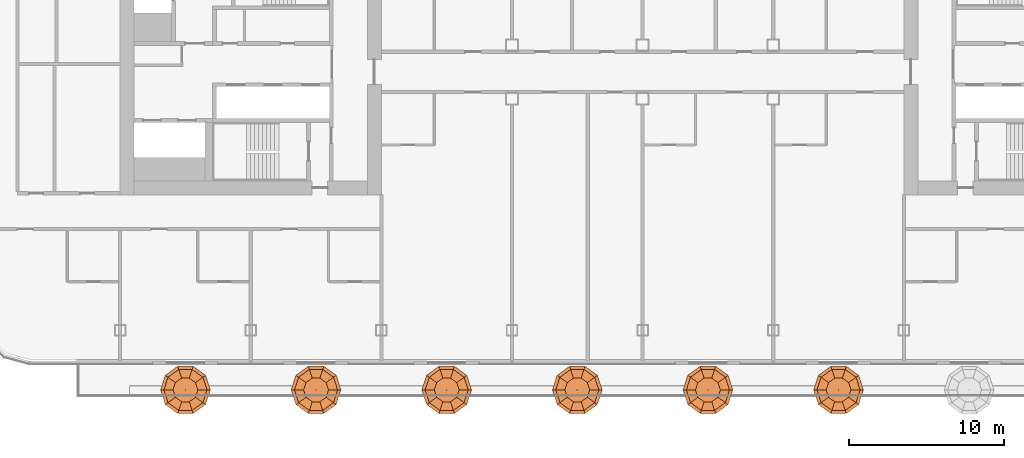
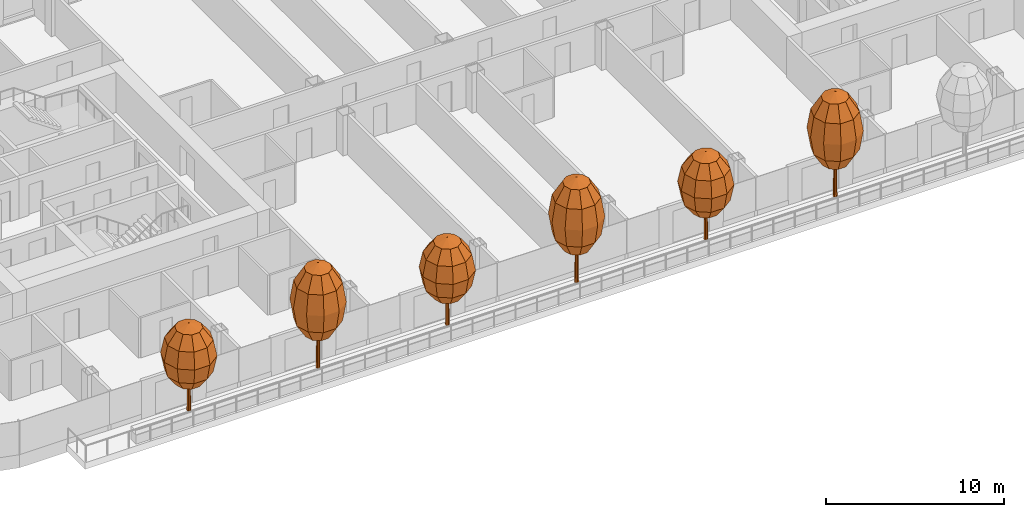
# One storey, part 27 of 29: 6 geographic elements.
"""IFC4 building model written with IfcOpenShell, lengths in metres."""

from ifc_helpers import new_model, si_unit, direction, frame, origin, place, context, subcontext, project, spatial, triangles, material, type_object, element, save


model = new_model("IFC4")

# Units and contexts
model_context = context("Model", 3, precision=1e-05, world=origin(), true_north=direction((0.0, 1.0)))
body_context = subcontext(model_context, "Body", "Model", "MODEL_VIEW")
ifc_project = project(units=[si_unit("LENGTHUNIT", "METRE"), si_unit("AREAUNIT", "SQUARE_METRE"), si_unit("VOLUMEUNIT", "CUBIC_METRE"), si_unit("PLANEANGLEUNIT", "RADIAN"), si_unit("MASSUNIT", "GRAM", prefix="KILO")], contexts=[model_context])

# Site, building, storey
site_placement = place(None, origin())
site = spatial("IfcSite", under=ifc_project, at=site_placement, CompositionType="ELEMENT")
building_placement = place(site_placement, origin())
building = spatial("IfcBuilding", under=site, at=building_placement, Name="Hakoniwa Tower and Hamabe Station Hall", CompositionType="ELEMENT")
storey_placement = place(building_placement, frame((0.0, 0.0, 163.0)))
storey = spatial("IfcBuildingStorey", under=building, at=storey_placement, Name="L46", CompositionType="ELEMENT", Elevation=163.0)

# Geographic elements
ifc_material_1 = material(Name="Tree foliage")
geographic_element_type_1 = type_object("IfcGeographicElementType", Name="Japanese maple 7.2 m", PredefinedType="USERDEFINED", material=ifc_material_1)
geographic_element_1_placement = place(storey_placement, frame((-21.0, -20.949951171875, 0.89990234375)))
element("IfcGeographicElement", 1, at=geographic_element_1_placement, inside=storey, type_object=geographic_element_type_1, Name="Japanese maple 7-2 m", ObjectType="TREE", PredefinedType="USERDEFINED", context=body_context, shape_type="Tessellation", body=[
    triangles([(0.125, 0.0, 0.0), (0.08837890625, 0.08837890625, 0.0), (0.0, 0.125, 0.0), (-0.08837890625, 0.08837890625, 0.0), (-0.125, 0.0, 0.0), (-0.08837890625, -0.08837890625, 0.0), (0.0, -0.125, 0.0), (0.08837890625, -0.08837890625, 0.0), (0.074951171875, 0.0, 4.348876953125), (0.052978515625, 0.052978515625, 4.348876953125), (0.0, 0.074951171875, 4.348876953125), (-0.052978515625, 0.052978515625, 4.348876953125), (-0.074951171875, 0.0, 4.348876953125), (-0.052978515625, -0.052978515625, 4.348876953125), (0.0, -0.074951171875, 4.348876953125), (0.052978515625, -0.052978515625, 4.348876953125), (0.0, 0.0, 0.0), (0.0, 0.0, 4.348876953125)], [[1, 2, 10], [1, 10, 9], [17, 2, 1], [18, 9, 10], [2, 3, 11], [2, 11, 10], [17, 3, 2], [18, 10, 11], [3, 4, 12], [3, 12, 11], [17, 4, 3], [18, 11, 12], [4, 5, 13], [4, 13, 12], [17, 5, 4], [18, 12, 13], [5, 6, 14], [5, 14, 13], [17, 6, 5], [18, 13, 14], [6, 7, 15], [6, 15, 14], [17, 7, 6], [18, 14, 15], [7, 8, 16], [7, 16, 15], [17, 8, 7], [18, 15, 16], [8, 1, 9], [8, 9, 16], [17, 1, 8], [18, 16, 9]], closed=True),
    triangles([(0.0, 0.0, 2.015869140625), (0.800048828125, 0.0, 2.36328125), (0.647216796875, 0.47021484375, 2.36328125), (0.247314453125, 0.7607421875, 2.36328125), (-0.247314453125, 0.7607421875, 2.36328125), (-0.647216796875, 0.47021484375, 2.36328125), (-0.800048828125, 0.0, 2.36328125), (-0.647216796875, -0.47021484375, 2.36328125), (-0.247314453125, -0.7607421875, 2.36328125), (0.247314453125, -0.7607421875, 2.36328125), (0.647216796875, -0.47021484375, 2.36328125), (1.385498046875, 0.0, 3.31201171875), (1.12109375, 0.814453125, 3.31201171875), (0.42822265625, 1.31787109375, 3.31201171875), (-0.42822265625, 1.31787109375, 3.31201171875), (-1.12109375, 0.814453125, 3.31201171875), (-1.385498046875, 0.0, 3.31201171875), (-1.12109375, -0.814453125, 3.31201171875), (-0.42822265625, -1.31787109375, 3.31201171875), (0.42822265625, -1.31787109375, 3.31201171875), (1.12109375, -0.814453125, 3.31201171875), (1.60009765625, 0.0, 4.60791015625), (1.29443359375, 0.9404296875, 4.60791015625), (0.494384765625, 1.521728515625, 4.60791015625), (-0.494384765625, 1.521728515625, 4.60791015625), (-1.29443359375, 0.9404296875, 4.60791015625), (-1.60009765625, 0.0, 4.60791015625), (-1.29443359375, -0.9404296875, 4.60791015625), (-0.494384765625, -1.521728515625, 4.60791015625), (0.494384765625, -1.521728515625, 4.60791015625), (1.29443359375, -0.9404296875, 4.60791015625), (1.385498046875, 0.0, 5.904052734375), (1.12109375, 0.814453125, 5.904052734375), (0.42822265625, 1.31787109375, 5.904052734375), (-0.42822265625, 1.31787109375, 5.904052734375), (-1.12109375, 0.814453125, 5.904052734375), (-1.385498046875, 0.0, 5.904052734375), (-1.12109375, -0.814453125, 5.904052734375), (-0.42822265625, -1.31787109375, 5.904052734375), (0.42822265625, -1.31787109375, 5.904052734375), (1.12109375, -0.814453125, 5.904052734375), (0.800048828125, 0.0, 6.852783203125), (0.647216796875, 0.47021484375, 6.852783203125), (0.247314453125, 0.7607421875, 6.852783203125), (-0.247314453125, 0.7607421875, 6.852783203125), (-0.647216796875, 0.47021484375, 6.852783203125), (-0.800048828125, 0.0, 6.852783203125), (-0.647216796875, -0.47021484375, 6.852783203125), (-0.247314453125, -0.7607421875, 6.852783203125), (0.247314453125, -0.7607421875, 6.852783203125), (0.647216796875, -0.47021484375, 6.852783203125), (0.0, 0.0, 7.199951171875)], [[1, 3, 2], [1, 4, 3], [1, 5, 4], [1, 6, 5], [1, 7, 6], [1, 8, 7], [1, 9, 8], [1, 10, 9], [1, 11, 10], [1, 2, 11], [2, 3, 13], [2, 13, 12], [3, 4, 14], [3, 14, 13], [4, 5, 15], [4, 15, 14], [5, 6, 16], [5, 16, 15], [6, 7, 17], [6, 17, 16], [7, 8, 18], [7, 18, 17], [8, 9, 19], [8, 19, 18], [9, 10, 20], [9, 20, 19], [10, 11, 21], [10, 21, 20], [11, 2, 12], [11, 12, 21], [12, 13, 23], [12, 23, 22], [13, 14, 24], [13, 24, 23], [14, 15, 25], [14, 25, 24], [15, 16, 26], [15, 26, 25], [16, 17, 27], [16, 27, 26], [17, 18, 28], [17, 28, 27], [18, 19, 29], [18, 29, 28], [19, 20, 30], [19, 30, 29], [20, 21, 31], [20, 31, 30], [21, 12, 22], [21, 22, 31], [22, 23, 33], [22, 33, 32], [23, 24, 34], [23, 34, 33], [24, 25, 35], [24, 35, 34], [25, 26, 36], [25, 36, 35], [26, 27, 37], [26, 37, 36], [27, 28, 38], [27, 38, 37], [28, 29, 39], [28, 39, 38], [29, 30, 40], [29, 40, 39], [30, 31, 41], [30, 41, 40], [31, 22, 32], [31, 32, 41], [32, 33, 43], [32, 43, 42], [33, 34, 44], [33, 44, 43], [34, 35, 45], [34, 45, 44], [35, 36, 46], [35, 46, 45], [36, 37, 47], [36, 47, 46], [37, 38, 48], [37, 48, 47], [38, 39, 49], [38, 49, 48], [39, 40, 50], [39, 50, 49], [40, 41, 51], [40, 51, 50], [41, 32, 42], [41, 42, 51], [52, 42, 43], [52, 43, 44], [52, 44, 45], [52, 45, 46], [52, 46, 47], [52, 47, 48], [52, 48, 49], [52, 49, 50], [52, 50, 51], [52, 51, 42]], closed=True),
])
geographic_element_2_placement = place(storey_placement, frame((-4.199951171875, -20.949951171875, 0.89990234375)))
element("IfcGeographicElement", 2, at=geographic_element_2_placement, inside=storey, type_object=geographic_element_type_1, Name="Japanese maple 7-2 m", ObjectType="TREE", PredefinedType="USERDEFINED", context=body_context, shape_type="Tessellation", body=[
    triangles([(0.125, 0.0, 0.0), (0.08837890625, 0.08837890625, 0.0), (0.0, 0.125, 0.0), (-0.08837890625, 0.08837890625, 0.0), (-0.125, 0.0, 0.0), (-0.08837890625, -0.08837890625, 0.0), (0.0, -0.125, 0.0), (0.08837890625, -0.08837890625, 0.0), (0.074951171875, 0.0, 4.348876953125), (0.052978515625, 0.052978515625, 4.348876953125), (0.0, 0.074951171875, 4.348876953125), (-0.052978515625, 0.052978515625, 4.348876953125), (-0.074951171875, 0.0, 4.348876953125), (-0.052978515625, -0.052978515625, 4.348876953125), (0.0, -0.074951171875, 4.348876953125), (0.052978515625, -0.052978515625, 4.348876953125), (0.0, 0.0, 0.0), (0.0, 0.0, 4.348876953125)], [[1, 2, 10], [1, 10, 9], [17, 2, 1], [18, 9, 10], [2, 3, 11], [2, 11, 10], [17, 3, 2], [18, 10, 11], [3, 4, 12], [3, 12, 11], [17, 4, 3], [18, 11, 12], [4, 5, 13], [4, 13, 12], [17, 5, 4], [18, 12, 13], [5, 6, 14], [5, 14, 13], [17, 6, 5], [18, 13, 14], [6, 7, 15], [6, 15, 14], [17, 7, 6], [18, 14, 15], [7, 8, 16], [7, 16, 15], [17, 8, 7], [18, 15, 16], [8, 1, 9], [8, 9, 16], [17, 1, 8], [18, 16, 9]], closed=True),
    triangles([(0.0, 0.0, 2.015869140625), (0.800048828125, 0.0, 2.36328125), (0.647216796875, 0.47021484375, 2.36328125), (0.247314453125, 0.7607421875, 2.36328125), (-0.247314453125, 0.7607421875, 2.36328125), (-0.647216796875, 0.47021484375, 2.36328125), (-0.800048828125, 0.0, 2.36328125), (-0.647216796875, -0.47021484375, 2.36328125), (-0.247314453125, -0.7607421875, 2.36328125), (0.247314453125, -0.7607421875, 2.36328125), (0.647216796875, -0.47021484375, 2.36328125), (1.385498046875, 0.0, 3.31201171875), (1.12109375, 0.814453125, 3.31201171875), (0.42822265625, 1.31787109375, 3.31201171875), (-0.42822265625, 1.31787109375, 3.31201171875), (-1.12109375, 0.814453125, 3.31201171875), (-1.385498046875, 0.0, 3.31201171875), (-1.12109375, -0.814453125, 3.31201171875), (-0.42822265625, -1.31787109375, 3.31201171875), (0.42822265625, -1.31787109375, 3.31201171875), (1.12109375, -0.814453125, 3.31201171875), (1.60009765625, 0.0, 4.60791015625), (1.29443359375, 0.9404296875, 4.60791015625), (0.494384765625, 1.521728515625, 4.60791015625), (-0.494384765625, 1.521728515625, 4.60791015625), (-1.29443359375, 0.9404296875, 4.60791015625), (-1.60009765625, 0.0, 4.60791015625), (-1.29443359375, -0.9404296875, 4.60791015625), (-0.494384765625, -1.521728515625, 4.60791015625), (0.494384765625, -1.521728515625, 4.60791015625), (1.29443359375, -0.9404296875, 4.60791015625), (1.385498046875, 0.0, 5.904052734375), (1.12109375, 0.814453125, 5.904052734375), (0.42822265625, 1.31787109375, 5.904052734375), (-0.42822265625, 1.31787109375, 5.904052734375), (-1.12109375, 0.814453125, 5.904052734375), (-1.385498046875, 0.0, 5.904052734375), (-1.12109375, -0.814453125, 5.904052734375), (-0.42822265625, -1.31787109375, 5.904052734375), (0.42822265625, -1.31787109375, 5.904052734375), (1.12109375, -0.814453125, 5.904052734375), (0.800048828125, 0.0, 6.852783203125), (0.647216796875, 0.47021484375, 6.852783203125), (0.247314453125, 0.7607421875, 6.852783203125), (-0.247314453125, 0.7607421875, 6.852783203125), (-0.647216796875, 0.47021484375, 6.852783203125), (-0.800048828125, 0.0, 6.852783203125), (-0.647216796875, -0.47021484375, 6.852783203125), (-0.247314453125, -0.7607421875, 6.852783203125), (0.247314453125, -0.7607421875, 6.852783203125), (0.647216796875, -0.47021484375, 6.852783203125), (0.0, 0.0, 7.199951171875)], [[1, 3, 2], [1, 4, 3], [1, 5, 4], [1, 6, 5], [1, 7, 6], [1, 8, 7], [1, 9, 8], [1, 10, 9], [1, 11, 10], [1, 2, 11], [2, 3, 13], [2, 13, 12], [3, 4, 14], [3, 14, 13], [4, 5, 15], [4, 15, 14], [5, 6, 16], [5, 16, 15], [6, 7, 17], [6, 17, 16], [7, 8, 18], [7, 18, 17], [8, 9, 19], [8, 19, 18], [9, 10, 20], [9, 20, 19], [10, 11, 21], [10, 21, 20], [11, 2, 12], [11, 12, 21], [12, 13, 23], [12, 23, 22], [13, 14, 24], [13, 24, 23], [14, 15, 25], [14, 25, 24], [15, 16, 26], [15, 26, 25], [16, 17, 27], [16, 27, 26], [17, 18, 28], [17, 28, 27], [18, 19, 29], [18, 29, 28], [19, 20, 30], [19, 30, 29], [20, 21, 31], [20, 31, 30], [21, 12, 22], [21, 22, 31], [22, 23, 33], [22, 33, 32], [23, 24, 34], [23, 34, 33], [24, 25, 35], [24, 35, 34], [25, 26, 36], [25, 36, 35], [26, 27, 37], [26, 37, 36], [27, 28, 38], [27, 38, 37], [28, 29, 39], [28, 39, 38], [29, 30, 40], [29, 40, 39], [30, 31, 41], [30, 41, 40], [31, 22, 32], [31, 32, 41], [32, 33, 43], [32, 43, 42], [33, 34, 44], [33, 44, 43], [34, 35, 45], [34, 45, 44], [35, 36, 46], [35, 46, 45], [36, 37, 47], [36, 47, 46], [37, 38, 48], [37, 48, 47], [38, 39, 49], [38, 49, 48], [39, 40, 50], [39, 50, 49], [40, 41, 51], [40, 51, 50], [41, 32, 42], [41, 42, 51], [52, 42, 43], [52, 43, 44], [52, 44, 45], [52, 45, 46], [52, 46, 47], [52, 47, 48], [52, 48, 49], [52, 49, 50], [52, 50, 51], [52, 51, 42]], closed=True),
])
geographic_element_3_placement = place(storey_placement, frame((12.60009765625, -20.949951171875, 0.89990234375)))
element("IfcGeographicElement", 3, at=geographic_element_3_placement, inside=storey, type_object=geographic_element_type_1, Name="Japanese maple 7-2 m", ObjectType="TREE", PredefinedType="USERDEFINED", context=body_context, shape_type="Tessellation", body=[
    triangles([(0.125, 0.0, 0.0), (0.08837890625, 0.08837890625, 0.0), (0.0, 0.125, 0.0), (-0.08837890625, 0.08837890625, 0.0), (-0.125, 0.0, 0.0), (-0.08837890625, -0.08837890625, 0.0), (0.0, -0.125, 0.0), (0.08837890625, -0.08837890625, 0.0), (0.074951171875, 0.0, 4.348876953125), (0.052978515625, 0.052978515625, 4.348876953125), (0.0, 0.074951171875, 4.348876953125), (-0.052978515625, 0.052978515625, 4.348876953125), (-0.074951171875, 0.0, 4.348876953125), (-0.052978515625, -0.052978515625, 4.348876953125), (0.0, -0.074951171875, 4.348876953125), (0.052978515625, -0.052978515625, 4.348876953125), (0.0, 0.0, 0.0), (0.0, 0.0, 4.348876953125)], [[1, 2, 10], [1, 10, 9], [17, 2, 1], [18, 9, 10], [2, 3, 11], [2, 11, 10], [17, 3, 2], [18, 10, 11], [3, 4, 12], [3, 12, 11], [17, 4, 3], [18, 11, 12], [4, 5, 13], [4, 13, 12], [17, 5, 4], [18, 12, 13], [5, 6, 14], [5, 14, 13], [17, 6, 5], [18, 13, 14], [6, 7, 15], [6, 15, 14], [17, 7, 6], [18, 14, 15], [7, 8, 16], [7, 16, 15], [17, 8, 7], [18, 15, 16], [8, 1, 9], [8, 9, 16], [17, 1, 8], [18, 16, 9]], closed=True),
    triangles([(0.0, 0.0, 2.015869140625), (0.800048828125, 0.0, 2.36328125), (0.647216796875, 0.47021484375, 2.36328125), (0.247314453125, 0.7607421875, 2.36328125), (-0.247314453125, 0.7607421875, 2.36328125), (-0.647216796875, 0.47021484375, 2.36328125), (-0.800048828125, 0.0, 2.36328125), (-0.647216796875, -0.47021484375, 2.36328125), (-0.247314453125, -0.7607421875, 2.36328125), (0.247314453125, -0.7607421875, 2.36328125), (0.647216796875, -0.47021484375, 2.36328125), (1.385498046875, 0.0, 3.31201171875), (1.12109375, 0.814453125, 3.31201171875), (0.42822265625, 1.31787109375, 3.31201171875), (-0.42822265625, 1.31787109375, 3.31201171875), (-1.12109375, 0.814453125, 3.31201171875), (-1.385498046875, 0.0, 3.31201171875), (-1.12109375, -0.814453125, 3.31201171875), (-0.42822265625, -1.31787109375, 3.31201171875), (0.42822265625, -1.31787109375, 3.31201171875), (1.12109375, -0.814453125, 3.31201171875), (1.60009765625, 0.0, 4.60791015625), (1.29443359375, 0.9404296875, 4.60791015625), (0.494384765625, 1.521728515625, 4.60791015625), (-0.494384765625, 1.521728515625, 4.60791015625), (-1.29443359375, 0.9404296875, 4.60791015625), (-1.60009765625, 0.0, 4.60791015625), (-1.29443359375, -0.9404296875, 4.60791015625), (-0.494384765625, -1.521728515625, 4.60791015625), (0.494384765625, -1.521728515625, 4.60791015625), (1.29443359375, -0.9404296875, 4.60791015625), (1.385498046875, 0.0, 5.904052734375), (1.12109375, 0.814453125, 5.904052734375), (0.42822265625, 1.31787109375, 5.904052734375), (-0.42822265625, 1.31787109375, 5.904052734375), (-1.12109375, 0.814453125, 5.904052734375), (-1.385498046875, 0.0, 5.904052734375), (-1.12109375, -0.814453125, 5.904052734375), (-0.42822265625, -1.31787109375, 5.904052734375), (0.42822265625, -1.31787109375, 5.904052734375), (1.12109375, -0.814453125, 5.904052734375), (0.800048828125, 0.0, 6.852783203125), (0.647216796875, 0.47021484375, 6.852783203125), (0.247314453125, 0.7607421875, 6.852783203125), (-0.247314453125, 0.7607421875, 6.852783203125), (-0.647216796875, 0.47021484375, 6.852783203125), (-0.800048828125, 0.0, 6.852783203125), (-0.647216796875, -0.47021484375, 6.852783203125), (-0.247314453125, -0.7607421875, 6.852783203125), (0.247314453125, -0.7607421875, 6.852783203125), (0.647216796875, -0.47021484375, 6.852783203125), (0.0, 0.0, 7.199951171875)], [[1, 3, 2], [1, 4, 3], [1, 5, 4], [1, 6, 5], [1, 7, 6], [1, 8, 7], [1, 9, 8], [1, 10, 9], [1, 11, 10], [1, 2, 11], [2, 3, 13], [2, 13, 12], [3, 4, 14], [3, 14, 13], [4, 5, 15], [4, 15, 14], [5, 6, 16], [5, 16, 15], [6, 7, 17], [6, 17, 16], [7, 8, 18], [7, 18, 17], [8, 9, 19], [8, 19, 18], [9, 10, 20], [9, 20, 19], [10, 11, 21], [10, 21, 20], [11, 2, 12], [11, 12, 21], [12, 13, 23], [12, 23, 22], [13, 14, 24], [13, 24, 23], [14, 15, 25], [14, 25, 24], [15, 16, 26], [15, 26, 25], [16, 17, 27], [16, 27, 26], [17, 18, 28], [17, 28, 27], [18, 19, 29], [18, 29, 28], [19, 20, 30], [19, 30, 29], [20, 21, 31], [20, 31, 30], [21, 12, 22], [21, 22, 31], [22, 23, 33], [22, 33, 32], [23, 24, 34], [23, 34, 33], [24, 25, 35], [24, 35, 34], [25, 26, 36], [25, 36, 35], [26, 27, 37], [26, 37, 36], [27, 28, 38], [27, 38, 37], [28, 29, 39], [28, 39, 38], [29, 30, 40], [29, 40, 39], [30, 31, 41], [30, 41, 40], [31, 22, 32], [31, 32, 41], [32, 33, 43], [32, 43, 42], [33, 34, 44], [33, 44, 43], [34, 35, 45], [34, 45, 44], [35, 36, 46], [35, 46, 45], [36, 37, 47], [36, 47, 46], [37, 38, 48], [37, 48, 47], [38, 39, 49], [38, 49, 48], [39, 40, 50], [39, 50, 49], [40, 41, 51], [40, 51, 50], [41, 32, 42], [41, 42, 51], [52, 42, 43], [52, 43, 44], [52, 44, 45], [52, 45, 46], [52, 46, 47], [52, 47, 48], [52, 48, 49], [52, 49, 50], [52, 50, 51], [52, 51, 42]], closed=True),
])
ifc_material_2 = material(Name="Tree foliage")
geographic_element_type_2 = type_object("IfcGeographicElementType", Name="Osmanthus 6.0 m", PredefinedType="USERDEFINED", material=ifc_material_2)
geographic_element_4_placement = place(storey_placement, frame((-29.39990234375, -20.949951171875, 0.89990234375)))
element("IfcGeographicElement", 4, at=geographic_element_4_placement, inside=storey, type_object=geographic_element_type_2, Name="Osmanthus 6-0 m", ObjectType="TREE", PredefinedType="USERDEFINED", context=body_context, shape_type="Tessellation", body=[
    triangles([(0.125, 0.0, 0.0), (0.08837890625, 0.08837890625, 0.0), (0.0, 0.125, 0.0), (-0.08837890625, 0.08837890625, 0.0), (-0.125, 0.0, 0.0), (-0.08837890625, -0.08837890625, 0.0), (0.0, -0.125, 0.0), (0.08837890625, -0.08837890625, 0.0), (0.074951171875, 0.0, 3.6240234375), (0.052978515625, 0.052978515625, 3.6240234375), (0.0, 0.074951171875, 3.6240234375), (-0.052978515625, 0.052978515625, 3.6240234375), (-0.074951171875, 0.0, 3.6240234375), (-0.052978515625, -0.052978515625, 3.6240234375), (0.0, -0.074951171875, 3.6240234375), (0.052978515625, -0.052978515625, 3.6240234375), (0.0, 0.0, 0.0), (0.0, 0.0, 3.6240234375)], [[1, 2, 10], [1, 10, 9], [17, 2, 1], [18, 9, 10], [2, 3, 11], [2, 11, 10], [17, 3, 2], [18, 10, 11], [3, 4, 12], [3, 12, 11], [17, 4, 3], [18, 11, 12], [4, 5, 13], [4, 13, 12], [17, 5, 4], [18, 12, 13], [5, 6, 14], [5, 14, 13], [17, 6, 5], [18, 13, 14], [6, 7, 15], [6, 15, 14], [17, 7, 6], [18, 14, 15], [7, 8, 16], [7, 16, 15], [17, 8, 7], [18, 15, 16], [8, 1, 9], [8, 9, 16], [17, 1, 8], [18, 16, 9]], closed=True),
    triangles([(0.0, 0.0, 1.679931640625), (0.800048828125, 0.0, 1.969482421875), (0.647216796875, 0.47021484375, 1.969482421875), (0.247314453125, 0.7607421875, 1.969482421875), (-0.247314453125, 0.7607421875, 1.969482421875), (-0.647216796875, 0.47021484375, 1.969482421875), (-0.800048828125, 0.0, 1.969482421875), (-0.647216796875, -0.47021484375, 1.969482421875), (-0.247314453125, -0.7607421875, 1.969482421875), (0.247314453125, -0.7607421875, 1.969482421875), (0.647216796875, -0.47021484375, 1.969482421875), (1.385498046875, 0.0, 2.760009765625), (1.12109375, 0.814453125, 2.760009765625), (0.42822265625, 1.31787109375, 2.760009765625), (-0.42822265625, 1.31787109375, 2.760009765625), (-1.12109375, 0.814453125, 2.760009765625), (-1.385498046875, 0.0, 2.760009765625), (-1.12109375, -0.814453125, 2.760009765625), (-0.42822265625, -1.31787109375, 2.760009765625), (0.42822265625, -1.31787109375, 2.760009765625), (1.12109375, -0.814453125, 2.760009765625), (1.60009765625, 0.0, 3.840087890625), (1.29443359375, 0.9404296875, 3.840087890625), (0.494384765625, 1.521728515625, 3.840087890625), (-0.494384765625, 1.521728515625, 3.840087890625), (-1.29443359375, 0.9404296875, 3.840087890625), (-1.60009765625, 0.0, 3.840087890625), (-1.29443359375, -0.9404296875, 3.840087890625), (-0.494384765625, -1.521728515625, 3.840087890625), (0.494384765625, -1.521728515625, 3.840087890625), (1.29443359375, -0.9404296875, 3.840087890625), (1.385498046875, 0.0, 4.919921875), (1.12109375, 0.814453125, 4.919921875), (0.42822265625, 1.31787109375, 4.919921875), (-0.42822265625, 1.31787109375, 4.919921875), (-1.12109375, 0.814453125, 4.919921875), (-1.385498046875, 0.0, 4.919921875), (-1.12109375, -0.814453125, 4.919921875), (-0.42822265625, -1.31787109375, 4.919921875), (0.42822265625, -1.31787109375, 4.919921875), (1.12109375, -0.814453125, 4.919921875), (0.800048828125, 0.0, 5.710693359375), (0.647216796875, 0.47021484375, 5.710693359375), (0.247314453125, 0.7607421875, 5.710693359375), (-0.247314453125, 0.7607421875, 5.710693359375), (-0.647216796875, 0.47021484375, 5.710693359375), (-0.800048828125, 0.0, 5.710693359375), (-0.647216796875, -0.47021484375, 5.710693359375), (-0.247314453125, -0.7607421875, 5.710693359375), (0.247314453125, -0.7607421875, 5.710693359375), (0.647216796875, -0.47021484375, 5.710693359375), (0.0, 0.0, 6.0)], [[1, 3, 2], [1, 4, 3], [1, 5, 4], [1, 6, 5], [1, 7, 6], [1, 8, 7], [1, 9, 8], [1, 10, 9], [1, 11, 10], [1, 2, 11], [2, 3, 13], [2, 13, 12], [3, 4, 14], [3, 14, 13], [4, 5, 15], [4, 15, 14], [5, 6, 16], [5, 16, 15], [6, 7, 17], [6, 17, 16], [7, 8, 18], [7, 18, 17], [8, 9, 19], [8, 19, 18], [9, 10, 20], [9, 20, 19], [10, 11, 21], [10, 21, 20], [11, 2, 12], [11, 12, 21], [12, 13, 23], [12, 23, 22], [13, 14, 24], [13, 24, 23], [14, 15, 25], [14, 25, 24], [15, 16, 26], [15, 26, 25], [16, 17, 27], [16, 27, 26], [17, 18, 28], [17, 28, 27], [18, 19, 29], [18, 29, 28], [19, 20, 30], [19, 30, 29], [20, 21, 31], [20, 31, 30], [21, 12, 22], [21, 22, 31], [22, 23, 33], [22, 33, 32], [23, 24, 34], [23, 34, 33], [24, 25, 35], [24, 35, 34], [25, 26, 36], [25, 36, 35], [26, 27, 37], [26, 37, 36], [27, 28, 38], [27, 38, 37], [28, 29, 39], [28, 39, 38], [29, 30, 40], [29, 40, 39], [30, 31, 41], [30, 41, 40], [31, 22, 32], [31, 32, 41], [32, 33, 43], [32, 43, 42], [33, 34, 44], [33, 44, 43], [34, 35, 45], [34, 45, 44], [35, 36, 46], [35, 46, 45], [36, 37, 47], [36, 47, 46], [37, 38, 48], [37, 48, 47], [38, 39, 49], [38, 49, 48], [39, 40, 50], [39, 50, 49], [40, 41, 51], [40, 51, 50], [41, 32, 42], [41, 42, 51], [52, 42, 43], [52, 43, 44], [52, 44, 45], [52, 45, 46], [52, 46, 47], [52, 47, 48], [52, 48, 49], [52, 49, 50], [52, 50, 51], [52, 51, 42]], closed=True),
])
geographic_element_5_placement = place(storey_placement, frame((-12.60009765625, -20.949951171875, 0.89990234375)))
element("IfcGeographicElement", 5, at=geographic_element_5_placement, inside=storey, type_object=geographic_element_type_2, Name="Osmanthus 6-0 m", ObjectType="TREE", PredefinedType="USERDEFINED", context=body_context, shape_type="Tessellation", body=[
    triangles([(0.125, 0.0, 0.0), (0.08837890625, 0.08837890625, 0.0), (0.0, 0.125, 0.0), (-0.08837890625, 0.08837890625, 0.0), (-0.125, 0.0, 0.0), (-0.08837890625, -0.08837890625, 0.0), (0.0, -0.125, 0.0), (0.08837890625, -0.08837890625, 0.0), (0.074951171875, 0.0, 3.6240234375), (0.052978515625, 0.052978515625, 3.6240234375), (0.0, 0.074951171875, 3.6240234375), (-0.052978515625, 0.052978515625, 3.6240234375), (-0.074951171875, 0.0, 3.6240234375), (-0.052978515625, -0.052978515625, 3.6240234375), (0.0, -0.074951171875, 3.6240234375), (0.052978515625, -0.052978515625, 3.6240234375), (0.0, 0.0, 0.0), (0.0, 0.0, 3.6240234375)], [[1, 2, 10], [1, 10, 9], [17, 2, 1], [18, 9, 10], [2, 3, 11], [2, 11, 10], [17, 3, 2], [18, 10, 11], [3, 4, 12], [3, 12, 11], [17, 4, 3], [18, 11, 12], [4, 5, 13], [4, 13, 12], [17, 5, 4], [18, 12, 13], [5, 6, 14], [5, 14, 13], [17, 6, 5], [18, 13, 14], [6, 7, 15], [6, 15, 14], [17, 7, 6], [18, 14, 15], [7, 8, 16], [7, 16, 15], [17, 8, 7], [18, 15, 16], [8, 1, 9], [8, 9, 16], [17, 1, 8], [18, 16, 9]], closed=True),
    triangles([(0.0, 0.0, 1.679931640625), (0.800048828125, 0.0, 1.969482421875), (0.647216796875, 0.47021484375, 1.969482421875), (0.247314453125, 0.7607421875, 1.969482421875), (-0.247314453125, 0.7607421875, 1.969482421875), (-0.647216796875, 0.47021484375, 1.969482421875), (-0.800048828125, 0.0, 1.969482421875), (-0.647216796875, -0.47021484375, 1.969482421875), (-0.247314453125, -0.7607421875, 1.969482421875), (0.247314453125, -0.7607421875, 1.969482421875), (0.647216796875, -0.47021484375, 1.969482421875), (1.385498046875, 0.0, 2.760009765625), (1.12109375, 0.814453125, 2.760009765625), (0.42822265625, 1.31787109375, 2.760009765625), (-0.42822265625, 1.31787109375, 2.760009765625), (-1.12109375, 0.814453125, 2.760009765625), (-1.385498046875, 0.0, 2.760009765625), (-1.12109375, -0.814453125, 2.760009765625), (-0.42822265625, -1.31787109375, 2.760009765625), (0.42822265625, -1.31787109375, 2.760009765625), (1.12109375, -0.814453125, 2.760009765625), (1.60009765625, 0.0, 3.840087890625), (1.29443359375, 0.9404296875, 3.840087890625), (0.494384765625, 1.521728515625, 3.840087890625), (-0.494384765625, 1.521728515625, 3.840087890625), (-1.29443359375, 0.9404296875, 3.840087890625), (-1.60009765625, 0.0, 3.840087890625), (-1.29443359375, -0.9404296875, 3.840087890625), (-0.494384765625, -1.521728515625, 3.840087890625), (0.494384765625, -1.521728515625, 3.840087890625), (1.29443359375, -0.9404296875, 3.840087890625), (1.385498046875, 0.0, 4.919921875), (1.12109375, 0.814453125, 4.919921875), (0.42822265625, 1.31787109375, 4.919921875), (-0.42822265625, 1.31787109375, 4.919921875), (-1.12109375, 0.814453125, 4.919921875), (-1.385498046875, 0.0, 4.919921875), (-1.12109375, -0.814453125, 4.919921875), (-0.42822265625, -1.31787109375, 4.919921875), (0.42822265625, -1.31787109375, 4.919921875), (1.12109375, -0.814453125, 4.919921875), (0.800048828125, 0.0, 5.710693359375), (0.647216796875, 0.47021484375, 5.710693359375), (0.247314453125, 0.7607421875, 5.710693359375), (-0.247314453125, 0.7607421875, 5.710693359375), (-0.647216796875, 0.47021484375, 5.710693359375), (-0.800048828125, 0.0, 5.710693359375), (-0.647216796875, -0.47021484375, 5.710693359375), (-0.247314453125, -0.7607421875, 5.710693359375), (0.247314453125, -0.7607421875, 5.710693359375), (0.647216796875, -0.47021484375, 5.710693359375), (0.0, 0.0, 6.0)], [[1, 3, 2], [1, 4, 3], [1, 5, 4], [1, 6, 5], [1, 7, 6], [1, 8, 7], [1, 9, 8], [1, 10, 9], [1, 11, 10], [1, 2, 11], [2, 3, 13], [2, 13, 12], [3, 4, 14], [3, 14, 13], [4, 5, 15], [4, 15, 14], [5, 6, 16], [5, 16, 15], [6, 7, 17], [6, 17, 16], [7, 8, 18], [7, 18, 17], [8, 9, 19], [8, 19, 18], [9, 10, 20], [9, 20, 19], [10, 11, 21], [10, 21, 20], [11, 2, 12], [11, 12, 21], [12, 13, 23], [12, 23, 22], [13, 14, 24], [13, 24, 23], [14, 15, 25], [14, 25, 24], [15, 16, 26], [15, 26, 25], [16, 17, 27], [16, 27, 26], [17, 18, 28], [17, 28, 27], [18, 19, 29], [18, 29, 28], [19, 20, 30], [19, 30, 29], [20, 21, 31], [20, 31, 30], [21, 12, 22], [21, 22, 31], [22, 23, 33], [22, 33, 32], [23, 24, 34], [23, 34, 33], [24, 25, 35], [24, 35, 34], [25, 26, 36], [25, 36, 35], [26, 27, 37], [26, 37, 36], [27, 28, 38], [27, 38, 37], [28, 29, 39], [28, 39, 38], [29, 30, 40], [29, 40, 39], [30, 31, 41], [30, 41, 40], [31, 22, 32], [31, 32, 41], [32, 33, 43], [32, 43, 42], [33, 34, 44], [33, 44, 43], [34, 35, 45], [34, 45, 44], [35, 36, 46], [35, 46, 45], [36, 37, 47], [36, 47, 46], [37, 38, 48], [37, 48, 47], [38, 39, 49], [38, 49, 48], [39, 40, 50], [39, 50, 49], [40, 41, 51], [40, 51, 50], [41, 32, 42], [41, 42, 51], [52, 42, 43], [52, 43, 44], [52, 44, 45], [52, 45, 46], [52, 46, 47], [52, 47, 48], [52, 48, 49], [52, 49, 50], [52, 50, 51], [52, 51, 42]], closed=True),
])
geographic_element_6_placement = place(storey_placement, frame((4.199951171875, -20.949951171875, 0.89990234375)))
element("IfcGeographicElement", 6, at=geographic_element_6_placement, inside=storey, type_object=geographic_element_type_2, Name="Osmanthus 6-0 m", ObjectType="TREE", PredefinedType="USERDEFINED", context=body_context, shape_type="Tessellation", body=[
    triangles([(0.125, 0.0, 0.0), (0.08837890625, 0.08837890625, 0.0), (0.0, 0.125, 0.0), (-0.08837890625, 0.08837890625, 0.0), (-0.125, 0.0, 0.0), (-0.08837890625, -0.08837890625, 0.0), (0.0, -0.125, 0.0), (0.08837890625, -0.08837890625, 0.0), (0.074951171875, 0.0, 3.6240234375), (0.052978515625, 0.052978515625, 3.6240234375), (0.0, 0.074951171875, 3.6240234375), (-0.052978515625, 0.052978515625, 3.6240234375), (-0.074951171875, 0.0, 3.6240234375), (-0.052978515625, -0.052978515625, 3.6240234375), (0.0, -0.074951171875, 3.6240234375), (0.052978515625, -0.052978515625, 3.6240234375), (0.0, 0.0, 0.0), (0.0, 0.0, 3.6240234375)], [[1, 2, 10], [1, 10, 9], [17, 2, 1], [18, 9, 10], [2, 3, 11], [2, 11, 10], [17, 3, 2], [18, 10, 11], [3, 4, 12], [3, 12, 11], [17, 4, 3], [18, 11, 12], [4, 5, 13], [4, 13, 12], [17, 5, 4], [18, 12, 13], [5, 6, 14], [5, 14, 13], [17, 6, 5], [18, 13, 14], [6, 7, 15], [6, 15, 14], [17, 7, 6], [18, 14, 15], [7, 8, 16], [7, 16, 15], [17, 8, 7], [18, 15, 16], [8, 1, 9], [8, 9, 16], [17, 1, 8], [18, 16, 9]], closed=True),
    triangles([(0.0, 0.0, 1.679931640625), (0.800048828125, 0.0, 1.969482421875), (0.647216796875, 0.47021484375, 1.969482421875), (0.247314453125, 0.7607421875, 1.969482421875), (-0.247314453125, 0.7607421875, 1.969482421875), (-0.647216796875, 0.47021484375, 1.969482421875), (-0.800048828125, 0.0, 1.969482421875), (-0.647216796875, -0.47021484375, 1.969482421875), (-0.247314453125, -0.7607421875, 1.969482421875), (0.247314453125, -0.7607421875, 1.969482421875), (0.647216796875, -0.47021484375, 1.969482421875), (1.385498046875, 0.0, 2.760009765625), (1.12109375, 0.814453125, 2.760009765625), (0.42822265625, 1.31787109375, 2.760009765625), (-0.42822265625, 1.31787109375, 2.760009765625), (-1.12109375, 0.814453125, 2.760009765625), (-1.385498046875, 0.0, 2.760009765625), (-1.12109375, -0.814453125, 2.760009765625), (-0.42822265625, -1.31787109375, 2.760009765625), (0.42822265625, -1.31787109375, 2.760009765625), (1.12109375, -0.814453125, 2.760009765625), (1.60009765625, 0.0, 3.840087890625), (1.29443359375, 0.9404296875, 3.840087890625), (0.494384765625, 1.521728515625, 3.840087890625), (-0.494384765625, 1.521728515625, 3.840087890625), (-1.29443359375, 0.9404296875, 3.840087890625), (-1.60009765625, 0.0, 3.840087890625), (-1.29443359375, -0.9404296875, 3.840087890625), (-0.494384765625, -1.521728515625, 3.840087890625), (0.494384765625, -1.521728515625, 3.840087890625), (1.29443359375, -0.9404296875, 3.840087890625), (1.385498046875, 0.0, 4.919921875), (1.12109375, 0.814453125, 4.919921875), (0.42822265625, 1.31787109375, 4.919921875), (-0.42822265625, 1.31787109375, 4.919921875), (-1.12109375, 0.814453125, 4.919921875), (-1.385498046875, 0.0, 4.919921875), (-1.12109375, -0.814453125, 4.919921875), (-0.42822265625, -1.31787109375, 4.919921875), (0.42822265625, -1.31787109375, 4.919921875), (1.12109375, -0.814453125, 4.919921875), (0.800048828125, 0.0, 5.710693359375), (0.647216796875, 0.47021484375, 5.710693359375), (0.247314453125, 0.7607421875, 5.710693359375), (-0.247314453125, 0.7607421875, 5.710693359375), (-0.647216796875, 0.47021484375, 5.710693359375), (-0.800048828125, 0.0, 5.710693359375), (-0.647216796875, -0.47021484375, 5.710693359375), (-0.247314453125, -0.7607421875, 5.710693359375), (0.247314453125, -0.7607421875, 5.710693359375), (0.647216796875, -0.47021484375, 5.710693359375), (0.0, 0.0, 6.0)], [[1, 3, 2], [1, 4, 3], [1, 5, 4], [1, 6, 5], [1, 7, 6], [1, 8, 7], [1, 9, 8], [1, 10, 9], [1, 11, 10], [1, 2, 11], [2, 3, 13], [2, 13, 12], [3, 4, 14], [3, 14, 13], [4, 5, 15], [4, 15, 14], [5, 6, 16], [5, 16, 15], [6, 7, 17], [6, 17, 16], [7, 8, 18], [7, 18, 17], [8, 9, 19], [8, 19, 18], [9, 10, 20], [9, 20, 19], [10, 11, 21], [10, 21, 20], [11, 2, 12], [11, 12, 21], [12, 13, 23], [12, 23, 22], [13, 14, 24], [13, 24, 23], [14, 15, 25], [14, 25, 24], [15, 16, 26], [15, 26, 25], [16, 17, 27], [16, 27, 26], [17, 18, 28], [17, 28, 27], [18, 19, 29], [18, 29, 28], [19, 20, 30], [19, 30, 29], [20, 21, 31], [20, 31, 30], [21, 12, 22], [21, 22, 31], [22, 23, 33], [22, 33, 32], [23, 24, 34], [23, 34, 33], [24, 25, 35], [24, 35, 34], [25, 26, 36], [25, 36, 35], [26, 27, 37], [26, 37, 36], [27, 28, 38], [27, 38, 37], [28, 29, 39], [28, 39, 38], [29, 30, 40], [29, 40, 39], [30, 31, 41], [30, 41, 40], [31, 22, 32], [31, 32, 41], [32, 33, 43], [32, 43, 42], [33, 34, 44], [33, 44, 43], [34, 35, 45], [34, 45, 44], [35, 36, 46], [35, 46, 45], [36, 37, 47], [36, 47, 46], [37, 38, 48], [37, 48, 47], [38, 39, 49], [38, 49, 48], [39, 40, 50], [39, 50, 49], [40, 41, 51], [40, 51, 50], [41, 32, 42], [41, 42, 51], [52, 42, 43], [52, 43, 44], [52, 44, 45], [52, 45, 46], [52, 46, 47], [52, 47, 48], [52, 48, 49], [52, 49, 50], [52, 50, 51], [52, 51, 42]], closed=True),
])

save(model, "model.ifc")
